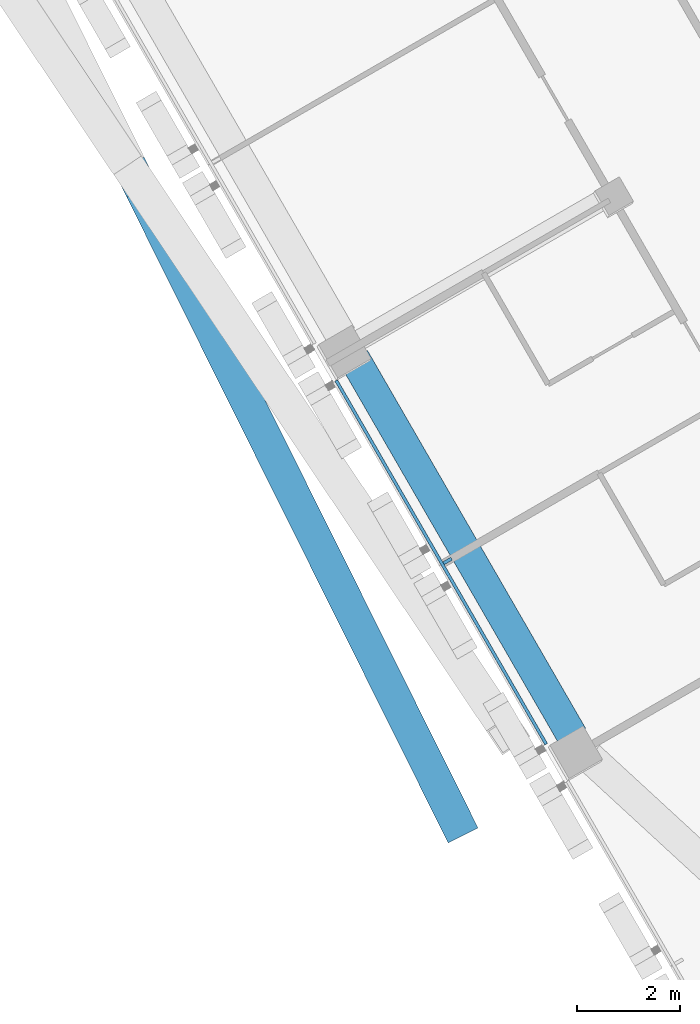
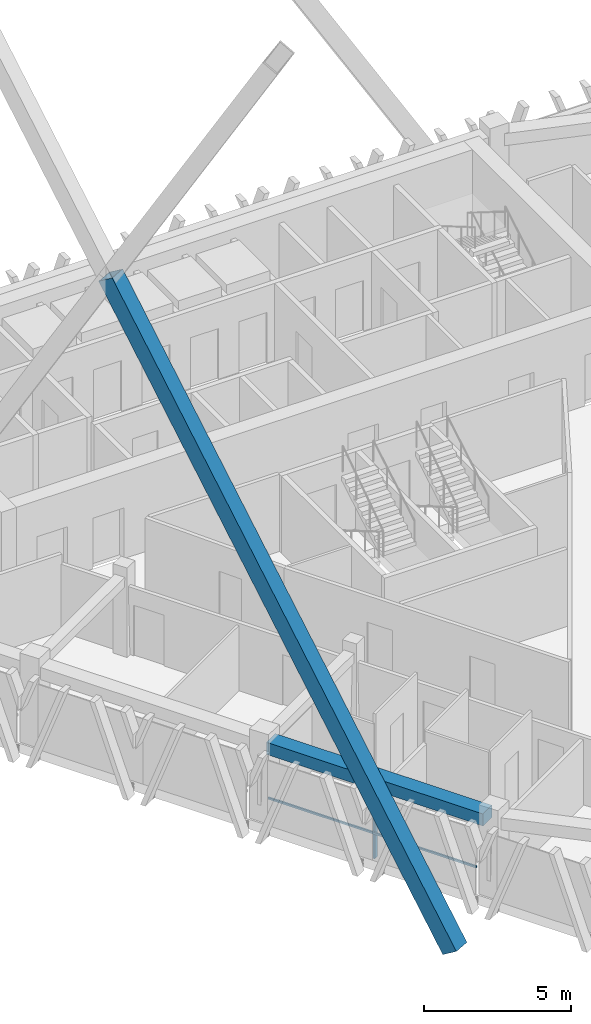
# One storey, part 2 of 22: 3 members, 1 beam, 1 element without a shape of its own.
"""IFC4 building model written with IfcOpenShell, lengths in metres."""

import ifcopenshell
import ifcopenshell.guid

model = None  # the IFC model being written
_history = None  # IfcOwnerHistory: only IFC2X3 demands one
_inside = {}  # id of a spatial element -> (the spatial element, [elements in it])
_under = {}  # id of a project, library or spatial element -> (it, [spatial elements below it])
_declared = {}  # id of a project -> (the project, [libraries it declares])
_typed = {}  # id of a type object -> (the type object, [elements of that type])
_made_of = {}  # id of a material, layer set ... -> (it, [elements and type objects made of it])


def new_model(schema):
    """Start an empty IFC model of exactly this schema.

    Asked for "IFC4X3", IfcOpenShell would pick the latest addendum, in which some entities
    have other attributes; the version numbers below select the first issue.
    IFC2X3 requires an IfcOwnerHistory on every rooted entity: one is made here for all.
    """
    global model, _history
    if schema == "IFC4X3":
        model = ifcopenshell.file(schema_version=(4, 3, 0, 0))
    else:
        model = ifcopenshell.file(schema=schema)
    _inside.clear()
    _under.clear()
    _declared.clear()
    _typed.clear()
    _made_of.clear()
    _history = None
    if model.schema == "IFC2X3":
        org = make("IfcOrganization", Name="unknown")
        user = make(
            "IfcPersonAndOrganization",
            ThePerson=make("IfcPerson", FamilyName="unknown"),
            TheOrganization=org,
        )
        app = make(
            "IfcApplication",
            ApplicationDeveloper=org,
            Version="unknown",
            ApplicationFullName="unknown",
            ApplicationIdentifier="unknown",
        )
        _history = make(
            "IfcOwnerHistory",
            OwningUser=user,
            OwningApplication=app,
            ChangeAction="ADDED",
            CreationDate=0,
        )
    return model


def make(cls, **values):
    """One entity of the class cls with the attributes given. An attribute that is None is left unset."""
    return model.create_entity(
        cls, **{name: value for name, value in values.items() if value is not None}
    )


def rooted(cls, **values):
    """An entity with a GlobalId (a new one), such as an element, a storey or a relation."""
    return make(cls, GlobalId=ifcopenshell.guid.new(), OwnerHistory=_history, **values)


def si_unit(unit_type, name, prefix=None):
    """IfcSIUnit, for example si_unit("LENGTHUNIT", "METRE", prefix="MILLI")."""
    return make("IfcSIUnit", UnitType=unit_type, Prefix=prefix, Name=name)


def assignment(units):
    """IfcUnitAssignment: the units of a project."""
    return None if units is None else make("IfcUnitAssignment", Units=units)


def point(xyz):
    """IfcCartesianPoint."""
    return None if xyz is None else make("IfcCartesianPoint", Coordinates=xyz)


def direction(xyz):
    """IfcDirection."""
    return None if xyz is None else make("IfcDirection", DirectionRatios=xyz)


def frame(location, z_axis=None, x_axis=None):
    """IfcAxis2Placement3D, a coordinate frame: its origin and axes. An axis left out is left unset."""
    return make(
        "IfcAxis2Placement3D",
        Location=point(location),
        Axis=direction(z_axis),
        RefDirection=direction(x_axis),
    )


def frame_2d(location, x_axis=None):
    """IfcAxis2Placement2D, a coordinate frame in the plane: its origin and x axis."""
    return make(
        "IfcAxis2Placement2D", Location=point(location), RefDirection=direction(x_axis)
    )


def origin():
    """The frame at (0, 0, 0) with its axes left unset."""
    return frame((0.0, 0.0, 0.0))


def origin_2d():
    """The frame at (0, 0) in the plane with its x axis left unset."""
    return frame_2d((0.0, 0.0))


def place(relative_to, where):
    """IfcLocalPlacement: puts the frame where relative to a parent placement (None: the world)."""
    return make(
        "IfcLocalPlacement", PlacementRelTo=relative_to, RelativePlacement=where
    )


def context(
    kind, dimensions, precision=None, world=None, true_north=None, identifier=None
):
    """IfcGeometricRepresentationContext, for example the 3D "Model" context."""
    return make(
        "IfcGeometricRepresentationContext",
        ContextIdentifier=identifier,
        ContextType=kind,
        CoordinateSpaceDimension=dimensions,
        Precision=precision,
        WorldCoordinateSystem=world,
        TrueNorth=true_north,
    )


def subcontext(parent, identifier, kind, view, scale=None):
    """IfcGeometricRepresentationSubContext, for example "Body" below "Model"."""
    return make(
        "IfcGeometricRepresentationSubContext",
        ContextIdentifier=identifier,
        ContextType=kind,
        ParentContext=parent,
        TargetScale=scale,
        TargetView=view,
    )


def project(units=None, contexts=None):
    """IfcProject with its units and contexts."""
    return rooted(
        "IfcProject",
        Name="project",
        RepresentationContexts=contexts,
        UnitsInContext=assignment(units),
    )


def spatial(cls, under=None, at=None, **own):
    """A site, building, storey or space (cls), placed at a placement, below another one or the project."""
    s = rooted(cls, ObjectPlacement=at, **own)
    if under is not None:
        _under.setdefault(under.id(), (under, []))[1].append(s)
    return s


def profile(cls, at=None, kind="AREA", **sizes):
    """A parametric profile (cls). Its sizes go by their IFC names, for example OverallWidth=200.0."""
    return make(cls, ProfileType=kind, Position=at, **sizes)


def rectangle(**sizes):
    """IfcRectangleProfileDef."""
    return profile("IfcRectangleProfileDef", **sizes)


def hollow_rectangle(**sizes):
    """IfcRectangleHollowProfileDef."""
    return profile("IfcRectangleHollowProfileDef", **sizes)


def extrude(swept, where, along, depth):
    """IfcExtrudedAreaSolid: the profile swept, set in the frame where, extruded along a direction by depth."""
    return make(
        "IfcExtrudedAreaSolid",
        SweptArea=swept,
        Position=where,
        ExtrudedDirection=direction(along),
        Depth=depth,
    )


def shape(context_of_items, identifier, shape_type, items):
    """IfcShapeRepresentation: the items that make up one representation, for example the "Body"."""
    return make(
        "IfcShapeRepresentation",
        ContextOfItems=context_of_items,
        RepresentationIdentifier=identifier,
        RepresentationType=shape_type,
        Items=items,
    )


def material(Name=None, Category=None):
    """IfcMaterial."""
    return make("IfcMaterial", Name=Name, Category=Category)


def layer(
    of_material, thickness, ventilated=None, Name=None, Category=None, Priority=None
):
    """IfcMaterialLayer: one layer of a wall or slab, of a material (None: an air gap)."""
    return make(
        "IfcMaterialLayer",
        Material=of_material,
        LayerThickness=thickness,
        IsVentilated=ventilated,
        Name=Name,
        Category=Category,
        Priority=Priority,
    )


def layer_set(layers, Name=None):
    """IfcMaterialLayerSet."""
    return make("IfcMaterialLayerSet", MaterialLayers=layers, LayerSetName=Name)


def material_profile(
    of_material, cross_section, Name=None, Category=None, Priority=None
):
    """IfcMaterialProfile: a cross section and its material."""
    return make(
        "IfcMaterialProfile",
        Name=Name,
        Material=of_material,
        Profile=cross_section,
        Priority=Priority,
        Category=Category,
    )


def profile_set(profiles, Name=None, composite=None):
    """IfcMaterialProfileSet."""
    return make(
        "IfcMaterialProfileSet",
        Name=Name,
        MaterialProfiles=profiles,
        CompositeProfile=composite,
    )


def made_of(thing, what):
    """Note that an element or type object is made of a material, layer set ...; save() writes the relation."""
    if what is not None:
        _made_of.setdefault(what.id(), (what, []))[1].append(thing)
    return thing


def type_object(cls, material=None, **own):
    """A type object (cls), such as IfcWallType, which elements share."""
    return made_of(rooted(cls, **own), material)


def element(
    cls,
    number,
    at=None,
    inside=None,
    cuts=None,
    type_object=None,
    material=None,
    context=None,
    identifier="Body",
    shape_type=None,
    held_by="IfcProductDefinitionShape",
    body=None,
    shapes=None,
    **own,
):
    """One element of the class cls, such as IfcWall. Its Tag is "e" and its number.

    at: its placement. inside: the storey or other place that contains it. cuts: it is an
    opening in that element (IfcRelVoidsElement). A single representation is given by context,
    identifier, shape_type and body (its items); several are given by shapes. held_by: the class
    of the entity that holds the representations. save() writes the other relations.
    """
    e = rooted(cls, Tag="e%d" % number, ObjectPlacement=at, **own)
    if body is not None:
        shapes = [shape(context, identifier, shape_type, body)]
    if shapes is not None:
        e.Representation = make(held_by, Representations=shapes)
    if inside is not None:
        _inside.setdefault(inside.id(), (inside, []))[1].append(e)
    if cuts is not None:
        rooted(
            "IfcRelVoidsElement", RelatingBuildingElement=cuts, RelatedOpeningElement=e
        )
    if type_object is not None:
        _typed.setdefault(type_object.id(), (type_object, []))[1].append(e)
    return made_of(e, material)


def aggregate(whole, parts):
    """IfcRelAggregates: a whole, such as a stair, and the parts it consists of."""
    return rooted("IfcRelAggregates", RelatingObject=whole, RelatedObjects=parts)


def save(model, path):
    """Write the relations noted so far, then the file.

    IfcRelAggregates (storeys below a building ...), IfcRelContainedInSpatialStructure (elements
    in a storey), IfcRelDefinesByType, IfcRelAssociatesMaterial and IfcRelDeclares: one each for
    every whole, place, type object, material and project.
    """
    for whole, parts in _under.values():
        aggregate(whole, parts)
    for where, things in _inside.values():
        rooted(
            "IfcRelContainedInSpatialStructure",
            RelatedElements=things,
            RelatingStructure=where,
        )
    for kind, things in _typed.values():
        rooted("IfcRelDefinesByType", RelatedObjects=things, RelatingType=kind)
    for what, things in _made_of.values():
        rooted("IfcRelAssociatesMaterial", RelatedObjects=things, RelatingMaterial=what)
    for by, libraries in _declared.values():
        rooted("IfcRelDeclares", RelatingContext=by, RelatedDefinitions=libraries)
    model.write(path)


model = new_model("IFC4")

# Units and contexts
model_context = context("Model", 3, precision=1e-05, world=origin(), true_north=direction((0.0, 1.0)))
body_context = subcontext(model_context, "Body", "Model", "MODEL_VIEW")
ifc_project = project(units=[si_unit("LENGTHUNIT", "METRE"), si_unit("AREAUNIT", "SQUARE_METRE"), si_unit("VOLUMEUNIT", "CUBIC_METRE"), si_unit("PLANEANGLEUNIT", "RADIAN"), si_unit("MASSUNIT", "GRAM", prefix="KILO")], contexts=[model_context])

# Site, building, storey
site_placement = place(None, origin())
site = spatial("IfcSite", under=ifc_project, at=site_placement, CompositionType="ELEMENT")
building_placement = place(site_placement, origin())
building = spatial("IfcBuilding", under=site, at=building_placement, Name="Altiplano Prism Tower", CompositionType="ELEMENT")
storey_placement = place(building_placement, frame((0.0, 0.0, 219.39990234375)))
storey = spatial("IfcBuildingStorey", under=building, at=storey_placement, Name="L56", CompositionType="ELEMENT", Elevation=219.39990234375)

# Curtain wall, members
ifc_material_1 = material(Name="Aluminium and glass", Category="aluminium")
ifc_layer = layer(ifc_material_1, 0.280029296875)
ifc_layer_set = layer_set([ifc_layer], Name="Aluminium and glass")
curtain_wall_type = type_object("IfcCurtainWallType", Name="CW1 typical co-living unitised curtain wall", PredefinedType="NOTDEFINED", material=ifc_layer_set)
curtain_wall_placement = place(storey_placement, origin())
curtain_wall = element("IfcCurtainWall", 1, at=curtain_wall_placement, inside=storey, type_object=curtain_wall_type, Name="CW1 curtain wall south-west face L56", PredefinedType="NOTDEFINED")
ifc_material_2 = material(Name="Aluminium", Category="aluminium")
ifc_material_profile_1 = material_profile(ifc_material_2, rectangle(XDim=0.179931640625, YDim=0.06494140625, at=origin_2d()), Name="CW1 mullion 65 x 180")
ifc_profile_set_1 = profile_set([ifc_material_profile_1], Name="Aluminium")
member_type_1 = type_object("IfcMemberType", Name="CW1 mullion 65 x 180", PredefinedType="MULLION", material=ifc_profile_set_1)
member_1_placement = place(storey_placement, frame((75.7529296875, 73.205322265625, 0.0), z_axis=(0.0, 0.0, 1.0), x_axis=(0.866025415356, 0.499999979958, 0.0)))
member_1 = element("IfcMember", 2, at=member_1_placement, type_object=member_type_1, Name="CW1 mullion", PredefinedType="MULLION", context=body_context, shape_type="SweptSolid", body=[
    extrude(rectangle(XDim=0.179931640625, YDim=0.06494140625, at=origin_2d()), origin(), (0.0, 0.0, 1.0), 2.7001953125),
])
ifc_material_profile_2 = material_profile(ifc_material_2, rectangle(XDim=0.06005859375, YDim=0.080078125, at=origin_2d()), Name="CW1 transom 80 x 60")
ifc_profile_set_2 = profile_set([ifc_material_profile_2], Name="Aluminium")
member_type_2 = type_object("IfcMemberType", Name="CW1 transom 80 x 60", PredefinedType="USERDEFINED", material=ifc_profile_set_2)
member_2_placement = place(storey_placement, frame((73.5869140625, 76.717041015625, 1.10009765625), z_axis=(0.500008722908, -0.866020367552, 0.0), x_axis=(0.866020367552, 0.500008722908, 0.0)))
member_2 = element("IfcMember", 3, at=member_2_placement, type_object=member_type_2, Name="CW1 transom", ObjectType="TRANSOM", PredefinedType="USERDEFINED", context=body_context, shape_type="SweptSolid", body=[
    extrude(rectangle(XDim=0.06005859375, YDim=0.080078125, at=origin_2d()), origin(), (0.0, 0.0, 1.0), 8.169677734375),
])
aggregate(curtain_wall, [member_1, member_2])

# Beam
ifc_material_3 = material(Name="Concrete C60/75", Category="concrete")
ifc_material_profile_3 = material_profile(ifc_material_3, rectangle(XDim=0.60009765625, YDim=0.5, at=origin_2d()), Name="Edge beam 600x500")
ifc_profile_set_3 = profile_set([ifc_material_profile_3], Name="Concrete C60/75")
beam_type = type_object("IfcBeamType", Name="Edge beam 600x500", PredefinedType="SPANDREL", material=ifc_profile_set_3)
beam_placement = place(storey_placement, frame((73.935791015625, 77.150146484375, 2.9501953125), z_axis=(0.49998963237, -0.866031389456, 0.0), x_axis=(0.866031389456, 0.49998963237, 0.0)))
element("IfcBeam", 4, at=beam_placement, inside=storey, type_object=beam_type, Name="Edge beam P13-P14 L57", PredefinedType="SPANDREL", context=body_context, shape_type="SweptSolid", body=[
    extrude(rectangle(XDim=0.60009765625, YDim=0.5, at=origin_2d()), origin(), (0.0, 0.0, 1.0), 8.489990234375),
])

# Member
ifc_material_4 = material(Name="Steel S355", Category="steel")
ifc_material_profile_4 = material_profile(ifc_material_4, hollow_rectangle(XDim=0.64990234375, YDim=0.64990234375, WallThickness=0.034912109375, at=origin_2d()), Name="Mega brace Box 650x650x35")
ifc_profile_set_4 = profile_set([ifc_material_profile_4], Name="Steel S355")
member_type_3 = type_object("IfcMemberType", Name="Mega brace Box 650x650x35", PredefinedType="BRACE", material=ifc_profile_set_4)
member_3_placement = place(storey_placement, frame((75.93310546875, 68.11328125, -0.75), z_axis=(-0.235724222725, 0.473603112173, 0.848607201809), x_axis=(-0.895240289947, -0.445583688273, 0.0)))
element("IfcMember", 5, at=member_3_placement, inside=storey, type_object=member_type_3, Name="Mega brace 6.1.3", PredefinedType="BRACE", context=body_context, shape_type="SweptSolid", body=[
    extrude(hollow_rectangle(XDim=0.64990234375, YDim=0.64990234375, WallThickness=0.034912109375, at=origin_2d()), origin(), (0.0, 0.0, 1.0), 26.513916015625),
])

save(model, "model.ifc")
